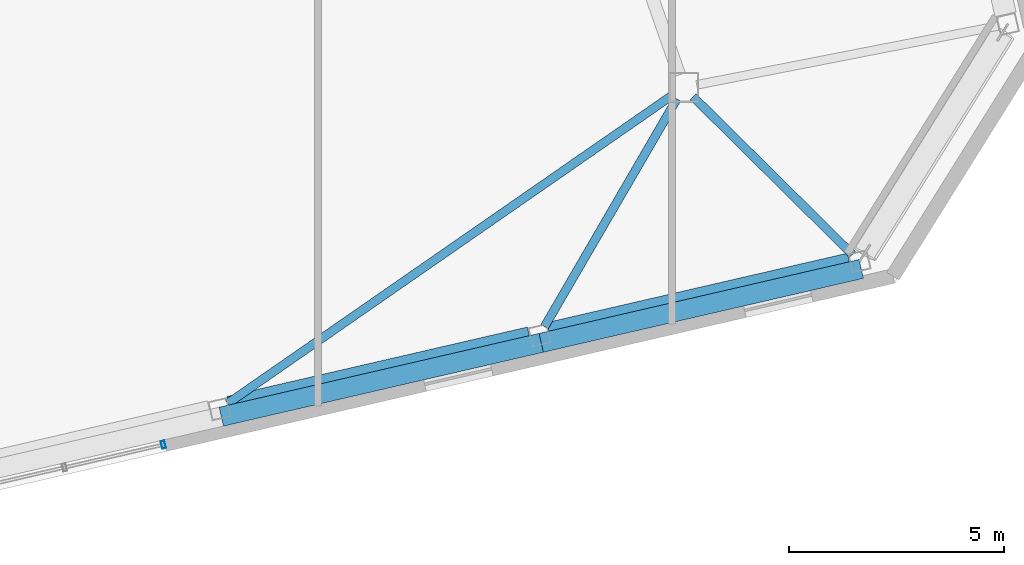
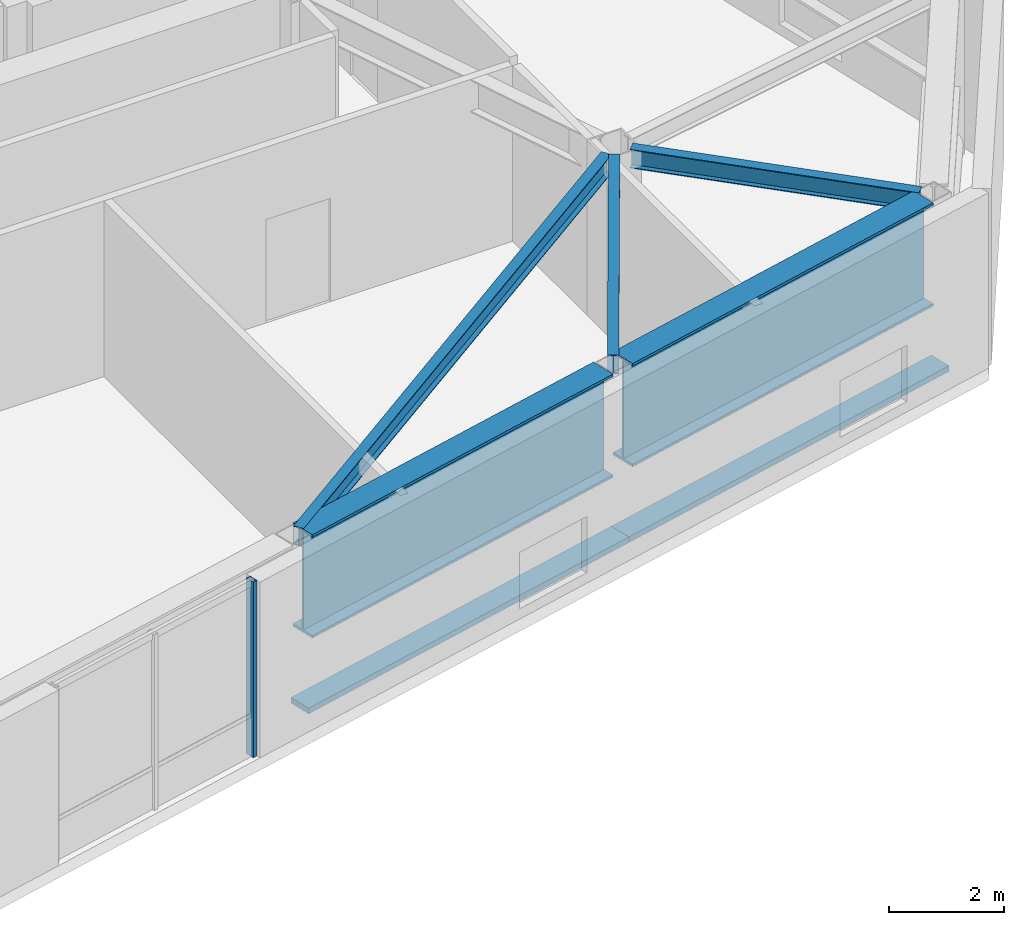
# One storey, part 10 of 23: 5 beams, 3 members, 1 element without a shape of its own.
"""IFC4 building model written with IfcOpenShell, lengths in metres."""

from ifc_helpers import new_model, si_unit, direction, frame, origin, origin_2d, place, context, subcontext, project, spatial, rectangle, hollow_rectangle, i_section, extrude, material, layer, layer_set, material_profile, profile_set, type_object, element, aggregate, save


model = new_model("IFC4")

# Units and contexts
model_context = context("Model", 3, precision=1e-05, world=origin(), true_north=direction((0.0, 1.0)))
body_context = subcontext(model_context, "Body", "Model", "MODEL_VIEW")
ifc_project = project(units=[si_unit("LENGTHUNIT", "METRE"), si_unit("AREAUNIT", "SQUARE_METRE"), si_unit("VOLUMEUNIT", "CUBIC_METRE"), si_unit("PLANEANGLEUNIT", "RADIAN"), si_unit("MASSUNIT", "GRAM", prefix="KILO")], contexts=[model_context])

# Site, building, storey
site_placement = place(None, origin())
site = spatial("IfcSite", under=ifc_project, at=site_placement, CompositionType="ELEMENT")
building_placement = place(site_placement, origin())
building = spatial("IfcBuilding", under=site, at=building_placement, Name="Tavrogorsk Clinical Tower", CompositionType="ELEMENT")
storey_placement = place(building_placement, frame((0.0, 0.0, 305.0)))
storey = spatial("IfcBuildingStorey", under=building, at=storey_placement, Name="L71", CompositionType="ELEMENT", Elevation=305.0)

# Members
ifc_material_1 = material(Name="Anodised aluminium alloy AW-6063", Category="aluminium")
ifc_material_profile_1 = material_profile(ifc_material_1, rectangle(XDim=0.449951171875, YDim=0.1201171875, at=origin_2d()), Name="ALU-SUNSHADE-450x120")
ifc_profile_set_1 = profile_set([ifc_material_profile_1], Name="Anodised aluminium alloy AW-6063")
member_type_1 = type_object("IfcMemberType", Name="ChicagoSunshade_450x120", PredefinedType="USERDEFINED", material=ifc_profile_set_1)
for number, where, z_axis, x_axis, name in (
    (1, (13.751708984375, -20.85498046875, 0.179931640625), (0.974372328168, 0.224941250331, 0.0), (-0.224941250331, 0.974372328168, 0.0), "L71 South Aluminium Sunshade S6"),
    (2, (21.1904296875, -19.1376953125, 0.179931640625), (0.974372328168, 0.224941250331, 0.0), (-0.224941250331, 0.974372328168, 0.0), "L71 South Aluminium Sunshade S7"),
):
    element("IfcMember", number, at=place(storey_placement, frame(where, z_axis=z_axis, x_axis=x_axis)), inside=storey, type_object=member_type_1, Name=name, ObjectType="SUNSHADE", PredefinedType="USERDEFINED", context=body_context, shape_type="SweptSolid", body=[
        extrude(rectangle(XDim=0.449951171875, YDim=0.1201171875, at=origin_2d()), origin(), (0.0, 0.0, 1.0), 7.63427734375),
    ])

# Curtain wall, member
ifc_material_2 = material(Name="Anodised aluminium and triple IGU glazing", Category="aluminium")
ifc_layer = layer(ifc_material_2, 0.179931640625)
ifc_layer_set = layer_set([ifc_layer], Name="Anodised aluminium and triple IGU glazing")
curtain_wall_type = type_object("IfcCurtainWallType", Name="CW3_SouthSlot", PredefinedType="NOTDEFINED", material=ifc_layer_set)
curtain_wall_placement = place(storey_placement, origin())
curtain_wall = element("IfcCurtainWall", 3, at=curtain_wall_placement, inside=storey, type_object=curtain_wall_type, Name="L71 Curtain Wall CW-L71-S-SLOT-2", PredefinedType="NOTDEFINED")
ifc_material_3 = material(Name="Anodised aluminium alloy AW-6060", Category="aluminium")
ifc_material_profile_2 = material_profile(ifc_material_3, hollow_rectangle(XDim=0.090087890625, YDim=0.179931640625, WallThickness=0.00634765625, at=origin_2d()), Name="RHS-180x90x6.3")
ifc_profile_set_2 = profile_set([ifc_material_profile_2], Name="Anodised aluminium alloy AW-6060")
member_type_2 = type_object("IfcMemberType", Name="CwMullion_180x90", PredefinedType="MULLION", material=ifc_profile_set_2)
member_placement = place(storey_placement, frame((12.4052734375, -21.504638671875, 0.0), z_axis=(0.0, 0.0, 1.0), x_axis=(0.974370057377, 0.224951086434, 0.0)))
member = element("IfcMember", 4, at=member_placement, type_object=member_type_2, Name="CW-L71-S-SLOT-2 Mullion 3", PredefinedType="MULLION", context=body_context, shape_type="SweptSolid", body=[
    extrude(hollow_rectangle(XDim=0.090087890625, YDim=0.179931640625, WallThickness=0.00634765625, at=origin_2d()), origin(), (0.0, 0.0, 1.0), 3.739990234375),
])
aggregate(curtain_wall, [member])

# Beams
ifc_material_4 = material(Name="Structural steel S355", Category="steel")
ifc_material_profile_3 = material_profile(ifc_material_4, i_section(OverallWidth=0.199951171875, OverallDepth=0.39990234375, WebThickness=0.010498046875, FlangeThickness=0.01611328125, at=origin_2d()), Name="B-400x200x10.5x16")
ifc_profile_set_3 = profile_set([ifc_material_profile_3], Name="Structural steel S355")
beam_type_1 = type_object("IfcBeamType", Name="FloorBeam_B400", PredefinedType="BEAM", material=ifc_profile_set_3)
beam_1_placement = place(storey_placement, frame((24.245361328125, -13.376708984375, 3.5400390625), z_axis=(-0.821821874963, -0.56974450926, 0.0), x_axis=(0.56974450926, -0.821821874963, 0.0)))
element("IfcBeam", 5, at=beam_1_placement, inside=storey, type_object=beam_type_1, Name="L71 Radial Floor Beam S6", PredefinedType="BEAM", context=body_context, shape_type="SweptSolid", body=[
    extrude(i_section(OverallWidth=0.199951171875, OverallDepth=0.39990234375, WebThickness=0.010498046875, FlangeThickness=0.01611328125, at=origin_2d()), origin(), (0.0, 0.0, 1.0), 12.5849609375),
])
beam_2_placement = place(storey_placement, frame((24.34423828125, -13.468017578125, 3.5400390625), z_axis=(-0.50260105099, -0.864518469174, 0.0), x_axis=(0.864518469174, -0.50260105099, 0.0)))
element("IfcBeam", 6, at=beam_2_placement, inside=storey, type_object=beam_type_1, Name="L71 Radial Floor Beam S7", PredefinedType="BEAM", context=body_context, shape_type="SweptSolid", body=[
    extrude(i_section(OverallWidth=0.199951171875, OverallDepth=0.39990234375, WebThickness=0.010498046875, FlangeThickness=0.01611328125, at=origin_2d()), origin(), (0.0, 0.0, 1.0), 6.12255859375),
])
beam_3_placement = place(storey_placement, frame((24.720458984375, -13.41796875, 3.5400390625), z_axis=(0.710870207436, -0.703323217433, 0.0), x_axis=(0.703323217433, 0.710870207436, 0.0)))
element("IfcBeam", 7, at=beam_3_placement, inside=storey, type_object=beam_type_1, Name="L71 Radial Floor Beam S8", PredefinedType="BEAM", context=body_context, shape_type="SweptSolid", body=[
    extrude(i_section(OverallWidth=0.199951171875, OverallDepth=0.39990234375, WebThickness=0.010498046875, FlangeThickness=0.01611328125, at=origin_2d()), origin(), (0.0, 0.0, 1.0), 5.208251953125),
])
ifc_material_5 = material(Name="Structural steel S440", Category="steel")
ifc_material_profile_4 = material_profile(ifc_material_5, i_section(OverallWidth=0.5, OverallDepth=2.199951171875, WebThickness=0.035888671875, FlangeThickness=0.054931640625, at=origin_2d()), Name="DK-2200x500x36x55")
ifc_profile_set_4 = profile_set([ifc_material_profile_4], Name="Structural steel S440")
beam_type_2 = type_object("IfcBeamType", Name="TransferGirder_DK2200", PredefinedType="USERDEFINED", material=ifc_profile_set_4)
for number, where, z_axis, x_axis, name in (
    (8, (13.938232421875, -20.627197265625, 2.639892578125), (0.974369378592, 0.224954026551, 0.0), (-0.224954026551, 0.974369378592, 0.0), "L71 Perimeter Spandrel S6-S7"),
    (9, (21.376953125, -18.909912109375, 2.639892578125), (0.974369378592, 0.224954026551, 0.0), (-0.224954026551, 0.974369378592, 0.0), "L71 Perimeter Spandrel S7-S8"),
):
    element("IfcBeam", number, at=place(storey_placement, frame(where, z_axis=z_axis, x_axis=x_axis)), inside=storey, type_object=beam_type_2, Name=name, ObjectType="GIRDER", PredefinedType="USERDEFINED", context=body_context, shape_type="SweptSolid", body=[
        extrude(i_section(OverallWidth=0.5, OverallDepth=2.199951171875, WebThickness=0.035888671875, FlangeThickness=0.054931640625, at=origin_2d()), origin(), (0.0, 0.0, 1.0), 7.16845703125),
    ])

save(model, "model.ifc")
